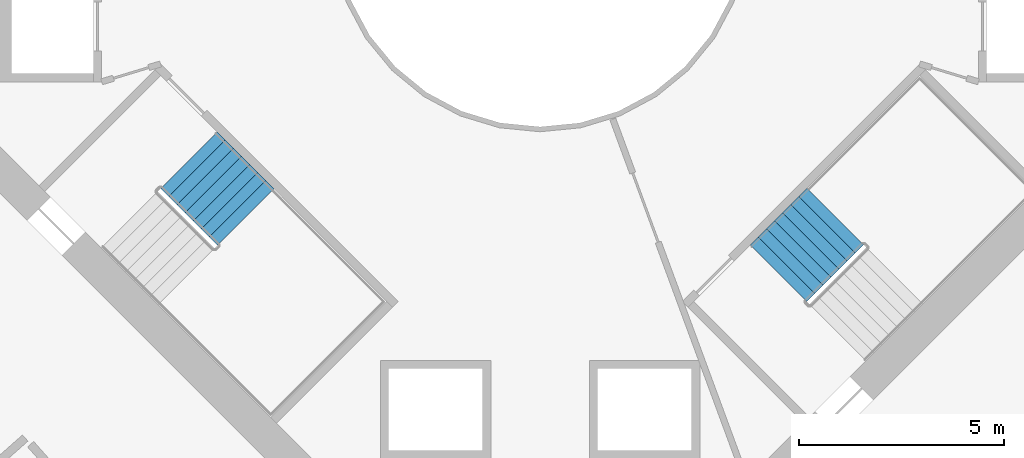
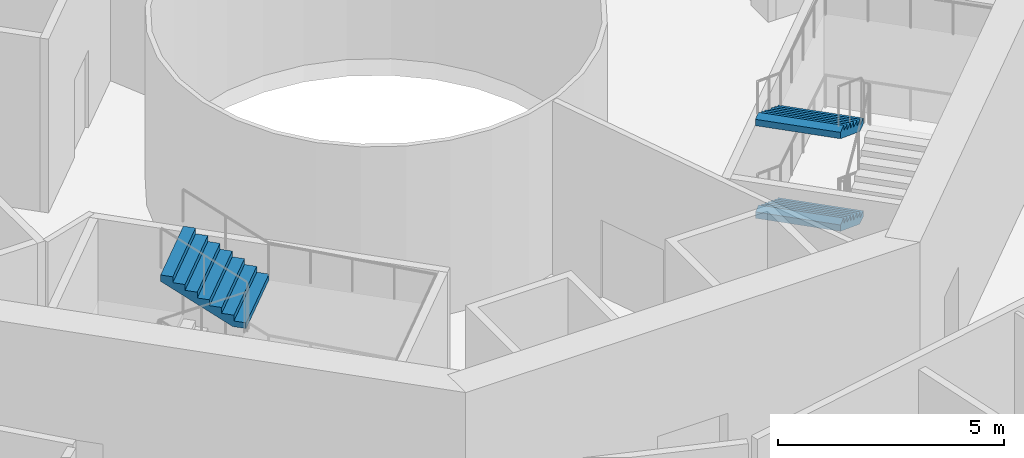
# One storey, part 16 of 20: 3 stair flights, 2 elements without a shape of their own.
"""IFC4 building model written with IfcOpenShell, lengths in metres."""

from ifc_helpers import new_model, si_unit, direction, frame, origin, place, context, subcontext, project, spatial, triangles, material, type_object, element, aggregate, save


model = new_model("IFC4")

# Units and contexts
model_context = context("Model", 3, precision=1e-05, world=origin(), true_north=direction((0.0, 1.0)))
body_context = subcontext(model_context, "Body", "Model", "MODEL_VIEW")
ifc_project = project(units=[si_unit("LENGTHUNIT", "METRE"), si_unit("AREAUNIT", "SQUARE_METRE"), si_unit("VOLUMEUNIT", "CUBIC_METRE"), si_unit("PLANEANGLEUNIT", "RADIAN"), si_unit("MASSUNIT", "GRAM", prefix="KILO")], contexts=[model_context])

# Site, building, storey
site_placement = place(None, origin())
site = spatial("IfcSite", under=ifc_project, at=site_placement, CompositionType="ELEMENT")
building_placement = place(site_placement, origin())
building = spatial("IfcBuilding", under=site, at=building_placement, Name="Verdalira Terraces Hotel", CompositionType="ELEMENT")
storey_placement = place(building_placement, frame((0.0, 0.0, 81.0)))
storey = spatial("IfcBuildingStorey", under=building, at=storey_placement, Name="L18", CompositionType="ELEMENT", Elevation=81.0)

# Stair, stair flight
ifc_material_1 = material(Name="Concrete C40", Category="concrete")
stair_type = type_object("IfcStairType", Name="Core stair 32 risers 1950 mm wide", PredefinedType="HALF_TURN_STAIR", material=ifc_material_1)
stair_1_placement = place(storey_placement, origin())
stair_1 = element("IfcStair", 1, at=stair_1_placement, inside=storey, type_object=stair_type, Name="L18 Exit stair ST2", PredefinedType="HALF_TURN_STAIR")
ifc_material_2 = material(Name="Concrete C40", Category="concrete")
stair_flight_type = type_object("IfcStairFlightType", Name="Core stair flight 32 risers 1950 mm wide", PredefinedType="STRAIGHT", material=ifc_material_2)
stair_flight_1_placement = place(storey_placement, frame((-7.187744, -7.201904, 3.75), z_axis=(0.0, 0.0, 1.0), x_axis=(-0.707106781, 0.707106781, 0.0)))
stair_flight_1 = element("IfcStairFlight", 2, at=stair_flight_1_placement, type_object=stair_flight_type, Name="ST2 flight 4", NumberOfRisers=8, NumberOfTreads=7, PredefinedType="STRAIGHT", RiserHeight=0.15625, TreadLength=0.28, context=body_context, shape_type="Tessellation", body=[
    triangles([(0.0, 0.974976, 0.0), (0.307617, 0.974976, 0.0), (1.959961, 0.974976, 0.922119), (0.0, -0.974976, 0.0), (0.307617, -0.974976, 0.0), (1.959961, -0.974976, 0.922119), (1.959961, 0.974976, 1.09375), (1.679932, 0.974976, 1.09375), (1.959961, -0.974976, 1.09375), (1.679932, -0.974976, 1.09375), (1.679932, 0.974976, 0.9375), (1.679932, -0.974976, 0.9375), (1.399902, 0.974976, 0.9375), (1.399902, -0.974976, 0.9375), (1.399902, 0.974976, 0.78125), (1.399902, -0.974976, 0.78125), (1.120117, 0.974976, 0.78125), (1.120117, 0.974976, 0.625), (1.120117, -0.974976, 0.78125), (1.120117, -0.974976, 0.625), (0.840088, 0.974976, 0.625), (0.840088, 0.974976, 0.46875), (0.840088, -0.974976, 0.625), (0.840088, -0.974976, 0.46875), (0.560059, 0.974976, 0.46875), (0.560059, 0.974976, 0.3125), (0.560059, -0.974976, 0.46875), (0.560059, -0.974976, 0.3125), (0.280029, 0.974976, 0.3125), (0.280029, 0.974976, 0.15625), (0.280029, -0.974976, 0.3125), (0.280029, -0.974976, 0.15625), (0.0, 0.974976, 0.15625), (0.0, -0.974976, 0.15625), (0.0, -0.91404, 0.0), (0.0, -0.91404, 0.15625), (0.0, -0.853104, 0.0), (0.0, -0.853104, 0.15625), (0.0, -0.792168, 0.0), (0.0, -0.792168, 0.15625), (0.0, -0.731232, 0.0), (0.0, -0.731232, 0.15625), (0.0, -0.670296, 0.0), (0.0, -0.670296, 0.15625), (0.0, -0.60936, 0.0), (0.0, -0.60936, 0.15625), (0.0, -0.548424, 0.0), (0.0, -0.548424, 0.15625), (0.0, -0.487488, 0.0), (0.0, -0.487488, 0.15625), (0.0, -0.426552, 0.0), (0.0, -0.426552, 0.15625), (0.0, -0.365616, 0.0), (0.0, -0.365616, 0.15625), (0.0, -0.30468, 0.0), (0.0, -0.30468, 0.15625), (0.0, -0.243744, 0.0), (0.0, -0.243744, 0.15625), (0.0, -0.182808, 0.0), (0.0, -0.182808, 0.15625), (0.0, -0.121872, 0.0), (0.0, -0.121872, 0.15625), (0.0, -0.060936, 0.0), (0.0, -0.060936, 0.15625), (0.0, 0.0, 0.0), (0.0, 0.0, 0.15625), (0.0, 0.060936, 0.0), (0.0, 0.060936, 0.15625), (0.0, 0.121872, 0.0), (0.0, 0.121872, 0.15625), (0.0, 0.182808, 0.0), (0.0, 0.182808, 0.15625), (0.0, 0.243744, 0.0), (0.0, 0.243744, 0.15625), (0.0, 0.30468, 0.0), (0.0, 0.30468, 0.15625), (0.0, 0.365616, 0.0), (0.0, 0.365616, 0.15625), (0.0, 0.426552, 0.0), (0.0, 0.426552, 0.15625), (0.0, 0.487488, 0.0), (0.0, 0.487488, 0.15625), (0.0, 0.548424, 0.0), (0.0, 0.548424, 0.15625), (0.0, 0.60936, 0.0), (0.0, 0.60936, 0.15625), (0.0, 0.670296, 0.0), (0.0, 0.670296, 0.15625), (0.0, 0.731232, 0.0), (0.0, 0.731232, 0.15625), (0.0, 0.792168, 0.0), (0.0, 0.792168, 0.15625), (0.0, 0.853104, 0.0), (0.0, 0.853104, 0.15625), (0.0, 0.91404, 0.0), (0.0, 0.91404, 0.15625), (1.959961, -0.91404, 1.09375), (1.959961, -0.853104, 1.09375), (1.959961, -0.792168, 1.09375), (1.959961, -0.731232, 1.09375), (1.959961, -0.670296, 1.09375), (1.959961, -0.60936, 1.09375), (1.959961, -0.548424, 1.09375), (1.959961, -0.487488, 1.09375), (1.959961, -0.426552, 1.09375), (1.959961, -0.365616, 1.09375), (1.959961, -0.30468, 1.09375), (1.959961, -0.243744, 1.09375), (1.959961, -0.182808, 1.09375), (1.959961, -0.121872, 1.09375), (1.959961, -0.060936, 1.09375), (1.959961, 0.0, 1.09375), (1.959961, 0.060936, 1.09375), (1.959961, 0.121872, 1.09375), (1.959961, 0.182808, 1.09375), (1.959961, 0.243744, 1.09375), (1.959961, 0.30468, 1.09375), (1.959961, 0.365616, 1.09375), (1.959961, 0.426552, 1.09375), (1.959961, 0.487488, 1.09375), (1.959961, 0.548424, 1.09375), (1.959961, 0.60936, 1.09375), (1.959961, 0.670296, 1.09375), (1.959961, 0.731232, 1.09375), (1.959961, 0.792168, 1.09375), (1.959961, 0.853104, 1.09375), (1.959961, 0.91404, 1.09375), (1.959961, -0.91404, 0.922119), (1.959961, -0.853104, 0.922119), (1.959961, -0.792168, 0.922119), (1.959961, -0.731232, 0.922119), (1.959961, -0.670296, 0.922119), (1.959961, -0.60936, 0.922119), (1.959961, -0.548424, 0.922119), (1.959961, -0.487488, 0.922119), (1.959961, -0.426552, 0.922119), (1.959961, -0.365616, 0.922119), (1.959961, -0.30468, 0.922119), (1.959961, -0.243744, 0.922119), (1.959961, -0.182808, 0.922119), (1.959961, -0.121872, 0.922119), (1.959961, -0.060936, 0.922119), (1.959961, 0.0, 0.922119), (1.959961, 0.060936, 0.922119), (1.959961, 0.121872, 0.922119), (1.959961, 0.182808, 0.922119), (1.959961, 0.243744, 0.922119), (1.959961, 0.30468, 0.922119), (1.959961, 0.365616, 0.922119), (1.959961, 0.426552, 0.922119), (1.959961, 0.487488, 0.922119), (1.959961, 0.548424, 0.922119), (1.959961, 0.60936, 0.922119), (1.959961, 0.670296, 0.922119), (1.959961, 0.731232, 0.922119), (1.959961, 0.792168, 0.922119), (1.959961, 0.853104, 0.922119), (1.959961, 0.91404, 0.922119)], [[1, 3, 2], [4, 5, 6], [3, 8, 7], [6, 9, 10], [3, 11, 8], [6, 10, 12], [3, 13, 11], [6, 12, 14], [3, 15, 13], [6, 14, 16], [15, 18, 17], [16, 19, 20], [3, 18, 15], [6, 16, 20], [18, 22, 21], [20, 23, 24], [3, 22, 18], [6, 20, 24], [22, 26, 25], [24, 27, 28], [3, 26, 22], [6, 24, 28], [26, 30, 29], [28, 31, 32], [3, 30, 26], [6, 28, 32], [1, 30, 3], [4, 6, 32], [30, 1, 33], [32, 34, 4], [4, 36, 35], [4, 34, 36], [35, 38, 37], [35, 36, 38], [37, 40, 39], [37, 38, 40], [39, 42, 41], [39, 40, 42], [41, 44, 43], [41, 42, 44], [43, 46, 45], [43, 44, 46], [45, 48, 47], [45, 46, 48], [47, 50, 49], [47, 48, 50], [49, 52, 51], [49, 50, 52], [51, 54, 53], [51, 52, 54], [53, 56, 55], [53, 54, 56], [55, 58, 57], [55, 56, 58], [57, 60, 59], [57, 58, 60], [59, 62, 61], [59, 60, 62], [61, 64, 63], [61, 62, 64], [63, 66, 65], [63, 64, 66], [65, 68, 67], [65, 66, 68], [67, 70, 69], [67, 68, 70], [69, 72, 71], [69, 70, 72], [71, 74, 73], [71, 72, 74], [73, 76, 75], [73, 74, 76], [75, 78, 77], [75, 76, 78], [77, 80, 79], [77, 78, 80], [79, 82, 81], [79, 80, 82], [81, 84, 83], [81, 82, 84], [83, 86, 85], [83, 84, 86], [85, 88, 87], [85, 86, 88], [87, 90, 89], [87, 88, 90], [89, 92, 91], [89, 90, 92], [91, 94, 93], [91, 92, 94], [93, 96, 95], [93, 94, 96], [95, 33, 1], [95, 96, 33], [34, 32, 36], [36, 32, 38], [38, 32, 40], [40, 32, 42], [42, 32, 44], [44, 32, 46], [46, 32, 48], [48, 32, 50], [50, 32, 52], [52, 32, 54], [54, 32, 56], [56, 32, 58], [58, 32, 60], [60, 32, 62], [62, 32, 64], [64, 32, 66], [66, 32, 68], [68, 32, 70], [70, 32, 72], [72, 32, 74], [74, 32, 76], [76, 32, 78], [78, 32, 80], [80, 32, 82], [82, 32, 84], [84, 32, 86], [86, 32, 88], [88, 32, 90], [90, 32, 92], [92, 32, 94], [94, 32, 96], [96, 32, 33], [33, 32, 30], [32, 29, 30], [32, 31, 29], [31, 26, 29], [31, 28, 26], [28, 25, 26], [28, 27, 25], [27, 22, 25], [27, 24, 22], [24, 21, 22], [24, 23, 21], [23, 18, 21], [23, 20, 18], [20, 17, 18], [20, 19, 17], [19, 15, 17], [19, 16, 15], [16, 13, 15], [16, 14, 13], [14, 11, 13], [14, 12, 11], [12, 8, 11], [12, 10, 8], [9, 97, 10], [97, 98, 10], [98, 99, 10], [99, 100, 10], [100, 101, 10], [101, 102, 10], [102, 103, 10], [103, 104, 10], [104, 105, 10], [105, 106, 10], [106, 107, 10], [107, 108, 10], [108, 109, 10], [109, 110, 10], [110, 111, 10], [111, 112, 10], [112, 113, 10], [113, 114, 10], [114, 115, 10], [115, 116, 10], [116, 117, 10], [117, 118, 10], [118, 119, 10], [119, 120, 10], [120, 121, 10], [121, 122, 10], [122, 123, 10], [123, 124, 10], [124, 125, 10], [125, 126, 10], [126, 127, 10], [127, 7, 10], [7, 8, 10], [9, 128, 97], [9, 6, 128], [97, 129, 98], [97, 128, 129], [98, 130, 99], [98, 129, 130], [99, 131, 100], [99, 130, 131], [100, 132, 101], [100, 131, 132], [101, 133, 102], [101, 132, 133], [102, 134, 103], [102, 133, 134], [103, 135, 104], [103, 134, 135], [104, 136, 105], [104, 135, 136], [105, 137, 106], [105, 136, 137], [106, 138, 107], [106, 137, 138], [107, 139, 108], [107, 138, 139], [108, 140, 109], [108, 139, 140], [109, 141, 110], [109, 140, 141], [110, 142, 111], [110, 141, 142], [111, 143, 112], [111, 142, 143], [112, 144, 113], [112, 143, 144], [113, 145, 114], [113, 144, 145], [114, 146, 115], [114, 145, 146], [115, 147, 116], [115, 146, 147], [116, 148, 117], [116, 147, 148], [117, 149, 118], [117, 148, 149], [118, 150, 119], [118, 149, 150], [119, 151, 120], [119, 150, 151], [120, 152, 121], [120, 151, 152], [121, 153, 122], [121, 152, 153], [122, 154, 123], [122, 153, 154], [123, 155, 124], [123, 154, 155], [124, 156, 125], [124, 155, 156], [125, 157, 126], [125, 156, 157], [126, 158, 127], [126, 157, 158], [127, 3, 7], [127, 158, 3], [6, 5, 128], [128, 5, 129], [129, 5, 130], [130, 5, 131], [131, 5, 132], [132, 5, 133], [133, 5, 134], [134, 5, 135], [135, 5, 136], [136, 5, 137], [137, 5, 138], [138, 5, 139], [139, 5, 140], [140, 5, 141], [141, 5, 142], [142, 5, 143], [143, 5, 144], [144, 5, 145], [145, 5, 146], [146, 5, 147], [147, 5, 148], [148, 5, 149], [149, 5, 150], [150, 5, 151], [151, 5, 152], [152, 5, 153], [153, 5, 154], [154, 5, 155], [155, 5, 156], [156, 5, 157], [157, 5, 158], [158, 5, 3], [3, 5, 2], [4, 35, 5], [35, 37, 5], [37, 39, 5], [39, 41, 5], [41, 43, 5], [43, 45, 5], [45, 47, 5], [47, 49, 5], [49, 51, 5], [51, 53, 5], [53, 55, 5], [55, 57, 5], [57, 59, 5], [59, 61, 5], [61, 63, 5], [63, 65, 5], [65, 67, 5], [67, 69, 5], [69, 71, 5], [71, 73, 5], [73, 75, 5], [75, 77, 5], [77, 79, 5], [79, 81, 5], [81, 83, 5], [83, 85, 5], [85, 87, 5], [87, 89, 5], [89, 91, 5], [91, 93, 5], [93, 95, 5], [95, 1, 5], [1, 2, 5]], closed=True),
])
aggregate(stair_1, [stair_flight_1])

# Stair, stair flights
stair_2_placement = place(storey_placement, origin())
stair_2 = element("IfcStair", 3, at=stair_2_placement, inside=storey, type_object=stair_type, Name="L18 Exit stair ST3", PredefinedType="HALF_TURN_STAIR")
stair_flight_2_placement = place(storey_placement, frame((7.201904, -7.187744, 1.25), z_axis=(0.0, 0.0, 1.0), x_axis=(-0.707106781, -0.707106781, 0.0)))
stair_flight_2 = element("IfcStairFlight", 4, at=stair_flight_2_placement, type_object=stair_flight_type, Name="ST3 flight 2", NumberOfRisers=8, NumberOfTreads=7, PredefinedType="STRAIGHT", RiserHeight=0.15625, TreadLength=0.28, context=body_context, shape_type="Tessellation", body=[
    triangles([(0.0, 0.974976, 0.0), (0.307617, 0.974976, 0.0), (1.959961, 0.974976, 0.922119), (0.0, -0.974976, 0.0), (0.307617, -0.974976, 0.0), (1.959961, -0.974976, 0.922119), (1.959961, 0.974976, 1.09375), (1.679932, 0.974976, 1.09375), (1.959961, -0.974976, 1.09375), (1.679932, -0.974976, 1.09375), (1.679932, 0.974976, 0.9375), (1.679932, -0.974976, 0.9375), (1.399902, 0.974976, 0.9375), (1.399902, -0.974976, 0.9375), (1.399902, 0.974976, 0.78125), (1.399902, -0.974976, 0.78125), (1.120117, 0.974976, 0.78125), (1.120117, 0.974976, 0.625), (1.120117, -0.974976, 0.78125), (1.120117, -0.974976, 0.625), (0.840088, 0.974976, 0.625), (0.840088, 0.974976, 0.46875), (0.840088, -0.974976, 0.625), (0.840088, -0.974976, 0.46875), (0.560059, 0.974976, 0.46875), (0.560059, 0.974976, 0.3125), (0.560059, -0.974976, 0.46875), (0.560059, -0.974976, 0.3125), (0.280029, 0.974976, 0.3125), (0.280029, 0.974976, 0.15625), (0.280029, -0.974976, 0.3125), (0.280029, -0.974976, 0.15625), (0.0, 0.974976, 0.15625), (0.0, -0.974976, 0.15625), (0.0, -0.91404, 0.0), (0.0, -0.91404, 0.15625), (0.0, -0.853104, 0.0), (0.0, -0.853104, 0.15625), (0.0, -0.792168, 0.0), (0.0, -0.792168, 0.15625), (0.0, -0.731232, 0.0), (0.0, -0.731232, 0.15625), (0.0, -0.670296, 0.0), (0.0, -0.670296, 0.15625), (0.0, -0.60936, 0.0), (0.0, -0.60936, 0.15625), (0.0, -0.548424, 0.0), (0.0, -0.548424, 0.15625), (0.0, -0.487488, 0.0), (0.0, -0.487488, 0.15625), (0.0, -0.426552, 0.0), (0.0, -0.426552, 0.15625), (0.0, -0.365616, 0.0), (0.0, -0.365616, 0.15625), (0.0, -0.30468, 0.0), (0.0, -0.30468, 0.15625), (0.0, -0.243744, 0.0), (0.0, -0.243744, 0.15625), (0.0, -0.182808, 0.0), (0.0, -0.182808, 0.15625), (0.0, -0.121872, 0.0), (0.0, -0.121872, 0.15625), (0.0, -0.060936, 0.0), (0.0, -0.060936, 0.15625), (0.0, 0.0, 0.0), (0.0, 0.0, 0.15625), (0.0, 0.060936, 0.0), (0.0, 0.060936, 0.15625), (0.0, 0.121872, 0.0), (0.0, 0.121872, 0.15625), (0.0, 0.182808, 0.0), (0.0, 0.182808, 0.15625), (0.0, 0.243744, 0.0), (0.0, 0.243744, 0.15625), (0.0, 0.30468, 0.0), (0.0, 0.30468, 0.15625), (0.0, 0.365616, 0.0), (0.0, 0.365616, 0.15625), (0.0, 0.426552, 0.0), (0.0, 0.426552, 0.15625), (0.0, 0.487488, 0.0), (0.0, 0.487488, 0.15625), (0.0, 0.548424, 0.0), (0.0, 0.548424, 0.15625), (0.0, 0.60936, 0.0), (0.0, 0.60936, 0.15625), (0.0, 0.670296, 0.0), (0.0, 0.670296, 0.15625), (0.0, 0.731232, 0.0), (0.0, 0.731232, 0.15625), (0.0, 0.792168, 0.0), (0.0, 0.792168, 0.15625), (0.0, 0.853104, 0.0), (0.0, 0.853104, 0.15625), (0.0, 0.91404, 0.0), (0.0, 0.91404, 0.15625), (1.959961, -0.91404, 1.09375), (1.959961, -0.853104, 1.09375), (1.959961, -0.792168, 1.09375), (1.959961, -0.731232, 1.09375), (1.959961, -0.670296, 1.09375), (1.959961, -0.60936, 1.09375), (1.959961, -0.548424, 1.09375), (1.959961, -0.487488, 1.09375), (1.959961, -0.426552, 1.09375), (1.959961, -0.365616, 1.09375), (1.959961, -0.30468, 1.09375), (1.959961, -0.243744, 1.09375), (1.959961, -0.182808, 1.09375), (1.959961, -0.121872, 1.09375), (1.959961, -0.060936, 1.09375), (1.959961, 0.0, 1.09375), (1.959961, 0.060936, 1.09375), (1.959961, 0.121872, 1.09375), (1.959961, 0.182808, 1.09375), (1.959961, 0.243744, 1.09375), (1.959961, 0.30468, 1.09375), (1.959961, 0.365616, 1.09375), (1.959961, 0.426552, 1.09375), (1.959961, 0.487488, 1.09375), (1.959961, 0.548424, 1.09375), (1.959961, 0.60936, 1.09375), (1.959961, 0.670296, 1.09375), (1.959961, 0.731232, 1.09375), (1.959961, 0.792168, 1.09375), (1.959961, 0.853104, 1.09375), (1.959961, 0.91404, 1.09375), (1.959961, -0.91404, 0.922119), (1.959961, -0.853104, 0.922119), (1.959961, -0.792168, 0.922119), (1.959961, -0.731232, 0.922119), (1.959961, -0.670296, 0.922119), (1.959961, -0.60936, 0.922119), (1.959961, -0.548424, 0.922119), (1.959961, -0.487488, 0.922119), (1.959961, -0.426552, 0.922119), (1.959961, -0.365616, 0.922119), (1.959961, -0.30468, 0.922119), (1.959961, -0.243744, 0.922119), (1.959961, -0.182808, 0.922119), (1.959961, -0.121872, 0.922119), (1.959961, -0.060936, 0.922119), (1.959961, 0.0, 0.922119), (1.959961, 0.060936, 0.922119), (1.959961, 0.121872, 0.922119), (1.959961, 0.182808, 0.922119), (1.959961, 0.243744, 0.922119), (1.959961, 0.30468, 0.922119), (1.959961, 0.365616, 0.922119), (1.959961, 0.426552, 0.922119), (1.959961, 0.487488, 0.922119), (1.959961, 0.548424, 0.922119), (1.959961, 0.60936, 0.922119), (1.959961, 0.670296, 0.922119), (1.959961, 0.731232, 0.922119), (1.959961, 0.792168, 0.922119), (1.959961, 0.853104, 0.922119), (1.959961, 0.91404, 0.922119)], [[1, 3, 2], [4, 5, 6], [3, 8, 7], [6, 9, 10], [3, 11, 8], [6, 10, 12], [3, 13, 11], [6, 12, 14], [3, 15, 13], [6, 14, 16], [15, 18, 17], [16, 19, 20], [3, 18, 15], [6, 16, 20], [18, 22, 21], [20, 23, 24], [3, 22, 18], [6, 20, 24], [22, 26, 25], [24, 27, 28], [3, 26, 22], [6, 24, 28], [26, 30, 29], [28, 31, 32], [3, 30, 26], [6, 28, 32], [1, 30, 3], [4, 6, 32], [30, 1, 33], [32, 34, 4], [4, 36, 35], [4, 34, 36], [35, 38, 37], [35, 36, 38], [37, 40, 39], [37, 38, 40], [39, 42, 41], [39, 40, 42], [41, 44, 43], [41, 42, 44], [43, 46, 45], [43, 44, 46], [45, 48, 47], [45, 46, 48], [47, 50, 49], [47, 48, 50], [49, 52, 51], [49, 50, 52], [51, 54, 53], [51, 52, 54], [53, 56, 55], [53, 54, 56], [55, 58, 57], [55, 56, 58], [57, 60, 59], [57, 58, 60], [59, 62, 61], [59, 60, 62], [61, 64, 63], [61, 62, 64], [63, 66, 65], [63, 64, 66], [65, 68, 67], [65, 66, 68], [67, 70, 69], [67, 68, 70], [69, 72, 71], [69, 70, 72], [71, 74, 73], [71, 72, 74], [73, 76, 75], [73, 74, 76], [75, 78, 77], [75, 76, 78], [77, 80, 79], [77, 78, 80], [79, 82, 81], [79, 80, 82], [81, 84, 83], [81, 82, 84], [83, 86, 85], [83, 84, 86], [85, 88, 87], [85, 86, 88], [87, 90, 89], [87, 88, 90], [89, 92, 91], [89, 90, 92], [91, 94, 93], [91, 92, 94], [93, 96, 95], [93, 94, 96], [95, 33, 1], [95, 96, 33], [34, 32, 36], [36, 32, 38], [38, 32, 40], [40, 32, 42], [42, 32, 44], [44, 32, 46], [46, 32, 48], [48, 32, 50], [50, 32, 52], [52, 32, 54], [54, 32, 56], [56, 32, 58], [58, 32, 60], [60, 32, 62], [62, 32, 64], [64, 32, 66], [66, 32, 68], [68, 32, 70], [70, 32, 72], [72, 32, 74], [74, 32, 76], [76, 32, 78], [78, 32, 80], [80, 32, 82], [82, 32, 84], [84, 32, 86], [86, 32, 88], [88, 32, 90], [90, 32, 92], [92, 32, 94], [94, 32, 96], [96, 32, 33], [33, 32, 30], [32, 29, 30], [32, 31, 29], [31, 26, 29], [31, 28, 26], [28, 25, 26], [28, 27, 25], [27, 22, 25], [27, 24, 22], [24, 21, 22], [24, 23, 21], [23, 18, 21], [23, 20, 18], [20, 17, 18], [20, 19, 17], [19, 15, 17], [19, 16, 15], [16, 13, 15], [16, 14, 13], [14, 11, 13], [14, 12, 11], [12, 8, 11], [12, 10, 8], [9, 97, 10], [97, 98, 10], [98, 99, 10], [99, 100, 10], [100, 101, 10], [101, 102, 10], [102, 103, 10], [103, 104, 10], [104, 105, 10], [105, 106, 10], [106, 107, 10], [107, 108, 10], [108, 109, 10], [109, 110, 10], [110, 111, 10], [111, 112, 10], [112, 113, 10], [113, 114, 10], [114, 115, 10], [115, 116, 10], [116, 117, 10], [117, 118, 10], [118, 119, 10], [119, 120, 10], [120, 121, 10], [121, 122, 10], [122, 123, 10], [123, 124, 10], [124, 125, 10], [125, 126, 10], [126, 127, 10], [127, 7, 10], [7, 8, 10], [9, 128, 97], [9, 6, 128], [97, 129, 98], [97, 128, 129], [98, 130, 99], [98, 129, 130], [99, 131, 100], [99, 130, 131], [100, 132, 101], [100, 131, 132], [101, 133, 102], [101, 132, 133], [102, 134, 103], [102, 133, 134], [103, 135, 104], [103, 134, 135], [104, 136, 105], [104, 135, 136], [105, 137, 106], [105, 136, 137], [106, 138, 107], [106, 137, 138], [107, 139, 108], [107, 138, 139], [108, 140, 109], [108, 139, 140], [109, 141, 110], [109, 140, 141], [110, 142, 111], [110, 141, 142], [111, 143, 112], [111, 142, 143], [112, 144, 113], [112, 143, 144], [113, 145, 114], [113, 144, 145], [114, 146, 115], [114, 145, 146], [115, 147, 116], [115, 146, 147], [116, 148, 117], [116, 147, 148], [117, 149, 118], [117, 148, 149], [118, 150, 119], [118, 149, 150], [119, 151, 120], [119, 150, 151], [120, 152, 121], [120, 151, 152], [121, 153, 122], [121, 152, 153], [122, 154, 123], [122, 153, 154], [123, 155, 124], [123, 154, 155], [124, 156, 125], [124, 155, 156], [125, 157, 126], [125, 156, 157], [126, 158, 127], [126, 157, 158], [127, 3, 7], [127, 158, 3], [6, 5, 128], [128, 5, 129], [129, 5, 130], [130, 5, 131], [131, 5, 132], [132, 5, 133], [133, 5, 134], [134, 5, 135], [135, 5, 136], [136, 5, 137], [137, 5, 138], [138, 5, 139], [139, 5, 140], [140, 5, 141], [141, 5, 142], [142, 5, 143], [143, 5, 144], [144, 5, 145], [145, 5, 146], [146, 5, 147], [147, 5, 148], [148, 5, 149], [149, 5, 150], [150, 5, 151], [151, 5, 152], [152, 5, 153], [153, 5, 154], [154, 5, 155], [155, 5, 156], [156, 5, 157], [157, 5, 158], [158, 5, 3], [3, 5, 2], [4, 35, 5], [35, 37, 5], [37, 39, 5], [39, 41, 5], [41, 43, 5], [43, 45, 5], [45, 47, 5], [47, 49, 5], [49, 51, 5], [51, 53, 5], [53, 55, 5], [55, 57, 5], [57, 59, 5], [59, 61, 5], [61, 63, 5], [63, 65, 5], [65, 67, 5], [67, 69, 5], [69, 71, 5], [71, 73, 5], [73, 75, 5], [75, 77, 5], [77, 79, 5], [79, 81, 5], [81, 83, 5], [83, 85, 5], [85, 87, 5], [87, 89, 5], [89, 91, 5], [91, 93, 5], [93, 95, 5], [95, 1, 5], [1, 2, 5]], closed=True),
])
stair_flight_3_placement = place(storey_placement, frame((7.201904, -7.187744, 3.75), z_axis=(0.0, 0.0, 1.0), x_axis=(-0.707106781, -0.707106781, 0.0)))
stair_flight_3 = element("IfcStairFlight", 5, at=stair_flight_3_placement, type_object=stair_flight_type, Name="ST3 flight 4", NumberOfRisers=8, NumberOfTreads=7, PredefinedType="STRAIGHT", RiserHeight=0.15625, TreadLength=0.28, context=body_context, shape_type="Tessellation", body=[
    triangles([(0.0, 0.974976, 0.0), (0.307617, 0.974976, 0.0), (1.959961, 0.974976, 0.922119), (0.0, -0.974976, 0.0), (0.307617, -0.974976, 0.0), (1.959961, -0.974976, 0.922119), (1.959961, 0.974976, 1.09375), (1.679932, 0.974976, 1.09375), (1.959961, -0.974976, 1.09375), (1.679932, -0.974976, 1.09375), (1.679932, 0.974976, 0.9375), (1.679932, -0.974976, 0.9375), (1.399902, 0.974976, 0.9375), (1.399902, -0.974976, 0.9375), (1.399902, 0.974976, 0.78125), (1.399902, -0.974976, 0.78125), (1.120117, 0.974976, 0.78125), (1.120117, 0.974976, 0.625), (1.120117, -0.974976, 0.78125), (1.120117, -0.974976, 0.625), (0.840088, 0.974976, 0.625), (0.840088, 0.974976, 0.46875), (0.840088, -0.974976, 0.625), (0.840088, -0.974976, 0.46875), (0.560059, 0.974976, 0.46875), (0.560059, 0.974976, 0.3125), (0.560059, -0.974976, 0.46875), (0.560059, -0.974976, 0.3125), (0.280029, 0.974976, 0.3125), (0.280029, 0.974976, 0.15625), (0.280029, -0.974976, 0.3125), (0.280029, -0.974976, 0.15625), (0.0, 0.974976, 0.15625), (0.0, -0.974976, 0.15625), (0.0, -0.91404, 0.0), (0.0, -0.91404, 0.15625), (0.0, -0.853104, 0.0), (0.0, -0.853104, 0.15625), (0.0, -0.792168, 0.0), (0.0, -0.792168, 0.15625), (0.0, -0.731232, 0.0), (0.0, -0.731232, 0.15625), (0.0, -0.670296, 0.0), (0.0, -0.670296, 0.15625), (0.0, -0.60936, 0.0), (0.0, -0.60936, 0.15625), (0.0, -0.548424, 0.0), (0.0, -0.548424, 0.15625), (0.0, -0.487488, 0.0), (0.0, -0.487488, 0.15625), (0.0, -0.426552, 0.0), (0.0, -0.426552, 0.15625), (0.0, -0.365616, 0.0), (0.0, -0.365616, 0.15625), (0.0, -0.30468, 0.0), (0.0, -0.30468, 0.15625), (0.0, -0.243744, 0.0), (0.0, -0.243744, 0.15625), (0.0, -0.182808, 0.0), (0.0, -0.182808, 0.15625), (0.0, -0.121872, 0.0), (0.0, -0.121872, 0.15625), (0.0, -0.060936, 0.0), (0.0, -0.060936, 0.15625), (0.0, 0.0, 0.0), (0.0, 0.0, 0.15625), (0.0, 0.060936, 0.0), (0.0, 0.060936, 0.15625), (0.0, 0.121872, 0.0), (0.0, 0.121872, 0.15625), (0.0, 0.182808, 0.0), (0.0, 0.182808, 0.15625), (0.0, 0.243744, 0.0), (0.0, 0.243744, 0.15625), (0.0, 0.30468, 0.0), (0.0, 0.30468, 0.15625), (0.0, 0.365616, 0.0), (0.0, 0.365616, 0.15625), (0.0, 0.426552, 0.0), (0.0, 0.426552, 0.15625), (0.0, 0.487488, 0.0), (0.0, 0.487488, 0.15625), (0.0, 0.548424, 0.0), (0.0, 0.548424, 0.15625), (0.0, 0.60936, 0.0), (0.0, 0.60936, 0.15625), (0.0, 0.670296, 0.0), (0.0, 0.670296, 0.15625), (0.0, 0.731232, 0.0), (0.0, 0.731232, 0.15625), (0.0, 0.792168, 0.0), (0.0, 0.792168, 0.15625), (0.0, 0.853104, 0.0), (0.0, 0.853104, 0.15625), (0.0, 0.91404, 0.0), (0.0, 0.91404, 0.15625), (1.959961, -0.91404, 1.09375), (1.959961, -0.853104, 1.09375), (1.959961, -0.792168, 1.09375), (1.959961, -0.731232, 1.09375), (1.959961, -0.670296, 1.09375), (1.959961, -0.60936, 1.09375), (1.959961, -0.548424, 1.09375), (1.959961, -0.487488, 1.09375), (1.959961, -0.426552, 1.09375), (1.959961, -0.365616, 1.09375), (1.959961, -0.30468, 1.09375), (1.959961, -0.243744, 1.09375), (1.959961, -0.182808, 1.09375), (1.959961, -0.121872, 1.09375), (1.959961, -0.060936, 1.09375), (1.959961, 0.0, 1.09375), (1.959961, 0.060936, 1.09375), (1.959961, 0.121872, 1.09375), (1.959961, 0.182808, 1.09375), (1.959961, 0.243744, 1.09375), (1.959961, 0.30468, 1.09375), (1.959961, 0.365616, 1.09375), (1.959961, 0.426552, 1.09375), (1.959961, 0.487488, 1.09375), (1.959961, 0.548424, 1.09375), (1.959961, 0.60936, 1.09375), (1.959961, 0.670296, 1.09375), (1.959961, 0.731232, 1.09375), (1.959961, 0.792168, 1.09375), (1.959961, 0.853104, 1.09375), (1.959961, 0.91404, 1.09375), (1.959961, -0.91404, 0.922119), (1.959961, -0.853104, 0.922119), (1.959961, -0.792168, 0.922119), (1.959961, -0.731232, 0.922119), (1.959961, -0.670296, 0.922119), (1.959961, -0.60936, 0.922119), (1.959961, -0.548424, 0.922119), (1.959961, -0.487488, 0.922119), (1.959961, -0.426552, 0.922119), (1.959961, -0.365616, 0.922119), (1.959961, -0.30468, 0.922119), (1.959961, -0.243744, 0.922119), (1.959961, -0.182808, 0.922119), (1.959961, -0.121872, 0.922119), (1.959961, -0.060936, 0.922119), (1.959961, 0.0, 0.922119), (1.959961, 0.060936, 0.922119), (1.959961, 0.121872, 0.922119), (1.959961, 0.182808, 0.922119), (1.959961, 0.243744, 0.922119), (1.959961, 0.30468, 0.922119), (1.959961, 0.365616, 0.922119), (1.959961, 0.426552, 0.922119), (1.959961, 0.487488, 0.922119), (1.959961, 0.548424, 0.922119), (1.959961, 0.60936, 0.922119), (1.959961, 0.670296, 0.922119), (1.959961, 0.731232, 0.922119), (1.959961, 0.792168, 0.922119), (1.959961, 0.853104, 0.922119), (1.959961, 0.91404, 0.922119)], [[1, 3, 2], [4, 5, 6], [3, 8, 7], [6, 9, 10], [3, 11, 8], [6, 10, 12], [3, 13, 11], [6, 12, 14], [3, 15, 13], [6, 14, 16], [15, 18, 17], [16, 19, 20], [3, 18, 15], [6, 16, 20], [18, 22, 21], [20, 23, 24], [3, 22, 18], [6, 20, 24], [22, 26, 25], [24, 27, 28], [3, 26, 22], [6, 24, 28], [26, 30, 29], [28, 31, 32], [3, 30, 26], [6, 28, 32], [1, 30, 3], [4, 6, 32], [30, 1, 33], [32, 34, 4], [4, 36, 35], [4, 34, 36], [35, 38, 37], [35, 36, 38], [37, 40, 39], [37, 38, 40], [39, 42, 41], [39, 40, 42], [41, 44, 43], [41, 42, 44], [43, 46, 45], [43, 44, 46], [45, 48, 47], [45, 46, 48], [47, 50, 49], [47, 48, 50], [49, 52, 51], [49, 50, 52], [51, 54, 53], [51, 52, 54], [53, 56, 55], [53, 54, 56], [55, 58, 57], [55, 56, 58], [57, 60, 59], [57, 58, 60], [59, 62, 61], [59, 60, 62], [61, 64, 63], [61, 62, 64], [63, 66, 65], [63, 64, 66], [65, 68, 67], [65, 66, 68], [67, 70, 69], [67, 68, 70], [69, 72, 71], [69, 70, 72], [71, 74, 73], [71, 72, 74], [73, 76, 75], [73, 74, 76], [75, 78, 77], [75, 76, 78], [77, 80, 79], [77, 78, 80], [79, 82, 81], [79, 80, 82], [81, 84, 83], [81, 82, 84], [83, 86, 85], [83, 84, 86], [85, 88, 87], [85, 86, 88], [87, 90, 89], [87, 88, 90], [89, 92, 91], [89, 90, 92], [91, 94, 93], [91, 92, 94], [93, 96, 95], [93, 94, 96], [95, 33, 1], [95, 96, 33], [34, 32, 36], [36, 32, 38], [38, 32, 40], [40, 32, 42], [42, 32, 44], [44, 32, 46], [46, 32, 48], [48, 32, 50], [50, 32, 52], [52, 32, 54], [54, 32, 56], [56, 32, 58], [58, 32, 60], [60, 32, 62], [62, 32, 64], [64, 32, 66], [66, 32, 68], [68, 32, 70], [70, 32, 72], [72, 32, 74], [74, 32, 76], [76, 32, 78], [78, 32, 80], [80, 32, 82], [82, 32, 84], [84, 32, 86], [86, 32, 88], [88, 32, 90], [90, 32, 92], [92, 32, 94], [94, 32, 96], [96, 32, 33], [33, 32, 30], [32, 29, 30], [32, 31, 29], [31, 26, 29], [31, 28, 26], [28, 25, 26], [28, 27, 25], [27, 22, 25], [27, 24, 22], [24, 21, 22], [24, 23, 21], [23, 18, 21], [23, 20, 18], [20, 17, 18], [20, 19, 17], [19, 15, 17], [19, 16, 15], [16, 13, 15], [16, 14, 13], [14, 11, 13], [14, 12, 11], [12, 8, 11], [12, 10, 8], [9, 97, 10], [97, 98, 10], [98, 99, 10], [99, 100, 10], [100, 101, 10], [101, 102, 10], [102, 103, 10], [103, 104, 10], [104, 105, 10], [105, 106, 10], [106, 107, 10], [107, 108, 10], [108, 109, 10], [109, 110, 10], [110, 111, 10], [111, 112, 10], [112, 113, 10], [113, 114, 10], [114, 115, 10], [115, 116, 10], [116, 117, 10], [117, 118, 10], [118, 119, 10], [119, 120, 10], [120, 121, 10], [121, 122, 10], [122, 123, 10], [123, 124, 10], [124, 125, 10], [125, 126, 10], [126, 127, 10], [127, 7, 10], [7, 8, 10], [9, 128, 97], [9, 6, 128], [97, 129, 98], [97, 128, 129], [98, 130, 99], [98, 129, 130], [99, 131, 100], [99, 130, 131], [100, 132, 101], [100, 131, 132], [101, 133, 102], [101, 132, 133], [102, 134, 103], [102, 133, 134], [103, 135, 104], [103, 134, 135], [104, 136, 105], [104, 135, 136], [105, 137, 106], [105, 136, 137], [106, 138, 107], [106, 137, 138], [107, 139, 108], [107, 138, 139], [108, 140, 109], [108, 139, 140], [109, 141, 110], [109, 140, 141], [110, 142, 111], [110, 141, 142], [111, 143, 112], [111, 142, 143], [112, 144, 113], [112, 143, 144], [113, 145, 114], [113, 144, 145], [114, 146, 115], [114, 145, 146], [115, 147, 116], [115, 146, 147], [116, 148, 117], [116, 147, 148], [117, 149, 118], [117, 148, 149], [118, 150, 119], [118, 149, 150], [119, 151, 120], [119, 150, 151], [120, 152, 121], [120, 151, 152], [121, 153, 122], [121, 152, 153], [122, 154, 123], [122, 153, 154], [123, 155, 124], [123, 154, 155], [124, 156, 125], [124, 155, 156], [125, 157, 126], [125, 156, 157], [126, 158, 127], [126, 157, 158], [127, 3, 7], [127, 158, 3], [6, 5, 128], [128, 5, 129], [129, 5, 130], [130, 5, 131], [131, 5, 132], [132, 5, 133], [133, 5, 134], [134, 5, 135], [135, 5, 136], [136, 5, 137], [137, 5, 138], [138, 5, 139], [139, 5, 140], [140, 5, 141], [141, 5, 142], [142, 5, 143], [143, 5, 144], [144, 5, 145], [145, 5, 146], [146, 5, 147], [147, 5, 148], [148, 5, 149], [149, 5, 150], [150, 5, 151], [151, 5, 152], [152, 5, 153], [153, 5, 154], [154, 5, 155], [155, 5, 156], [156, 5, 157], [157, 5, 158], [158, 5, 3], [3, 5, 2], [4, 35, 5], [35, 37, 5], [37, 39, 5], [39, 41, 5], [41, 43, 5], [43, 45, 5], [45, 47, 5], [47, 49, 5], [49, 51, 5], [51, 53, 5], [53, 55, 5], [55, 57, 5], [57, 59, 5], [59, 61, 5], [61, 63, 5], [63, 65, 5], [65, 67, 5], [67, 69, 5], [69, 71, 5], [71, 73, 5], [73, 75, 5], [75, 77, 5], [77, 79, 5], [79, 81, 5], [81, 83, 5], [83, 85, 5], [85, 87, 5], [87, 89, 5], [89, 91, 5], [91, 93, 5], [93, 95, 5], [95, 1, 5], [1, 2, 5]], closed=True),
])
aggregate(stair_2, [stair_flight_2, stair_flight_3])

save(model, "model.ifc")
